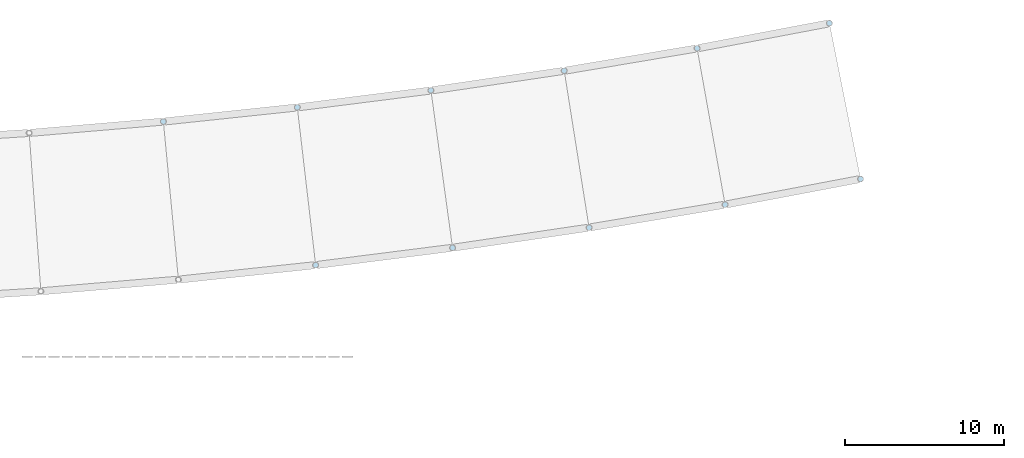
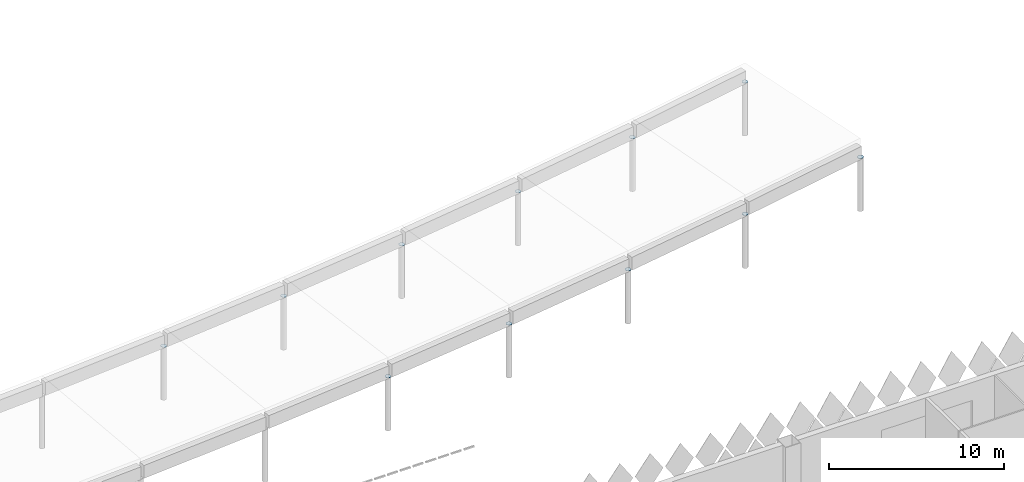
# One storey, part 101 of 185: 11 plates.
"""IFC4 building model written with IfcOpenShell, lengths in metres."""

from ifc_helpers import new_model, si_unit, direction, frame, origin, origin_2d, place, context, subcontext, project, spatial, circle, extrude, material, material_profile, profile_set, type_object, element, save


model = new_model("IFC4")

# Units and contexts
model_context = context("Model", 3, precision=1e-05, world=origin(), true_north=direction((0.0, 1.0)))
body_context = subcontext(model_context, "Body", "Model", "MODEL_VIEW")
ifc_project = project(units=[si_unit("LENGTHUNIT", "METRE"), si_unit("AREAUNIT", "SQUARE_METRE"), si_unit("VOLUMEUNIT", "CUBIC_METRE"), si_unit("PLANEANGLEUNIT", "RADIAN"), si_unit("MASSUNIT", "GRAM", prefix="KILO")], contexts=[model_context])

# Site, building, storey
site_placement = place(None, origin())
site = spatial("IfcSite", under=ifc_project, at=site_placement, CompositionType="ELEMENT")
building_placement = place(site_placement, origin())
building = spatial("IfcBuilding", under=site, at=building_placement, Name="Opaline Strait Convention Centre", CompositionType="ELEMENT")
storey_placement = place(building_placement, frame((0.0, 0.0, 6.0)))
storey = spatial("IfcBuildingStorey", under=building, at=storey_placement, Name="L01", CompositionType="ELEMENT", Elevation=6.0)

# Plates
ifc_material = material(Name="Steel Q355B", Category="steel")
ifc_material_profile = material_profile(ifc_material, circle(Radius=0.175537109375, at=origin_2d()), Name="D351")
ifc_profile_set = profile_set([ifc_material_profile], Name="Steel Q355B")
plate_type = type_object("IfcPlateType", Name="Column cap plate CHS 351 x 15 Q355B", PredefinedType="SHEET", material=ifc_profile_set)
for number, where, z_axis, x_axis, name in (
    (1, (227.67724609375, 172.272216796875, 3.68505859375), (0.0, 0.0, 1.0), (1.0, 0.0, 0.0), "Arcade column cap plate at SC-I16"),
    (2, (236.294189453125, 173.364990234375, 3.68505859375), (0.0, 0.0, 1.0), (1.0, 0.0, 0.0), "Arcade column cap plate at SC-I17"),
    (3, (244.88623046875, 174.634765625, 3.68505859375), (0.0, 0.0, 1.0), (1.0, 0.0, 0.0), "Arcade column cap plate at SC-I18"),
    (4, (253.449462890625, 176.07958984375, 3.68505859375), (0.0, 0.0, 1.0), (1.0, 0.0, 0.0), "Arcade column cap plate at SC-I19"),
    (5, (261.980712890625, 177.697021484375, 3.68505859375), (0.0, 0.0, 1.0), (1.0, 0.0, 0.0), "Arcade column cap plate at SC-I20"),
    (6, (218.090576171875, 181.313720703125, 3.68505859375), (0.0, 0.0, 1.0), (1.0, 0.0, 0.0), "Arcade column cap plate at SC-O15"),
    (7, (226.52197265625, 182.205078125, 3.68505859375), (0.0, 0.0, 1.0), (1.0, 0.0, 0.0), "Arcade column cap plate at SC-O16"),
    (8, (234.933837890625, 183.27197265625, 3.68505859375), (0.0, 0.0, 1.0), (1.0, 0.0, 0.0), "Arcade column cap plate at SC-O17"),
    (9, (243.32275390625, 184.51171875, 3.68505859375), (0.0, 0.0, 1.0), (1.0, 0.0, 0.0), "Arcade column cap plate at SC-O18"),
    (10, (251.685546875, 185.9228515625, 3.68505859375), (0.0, 0.0, 1.0), (1.0, 0.0, 0.0), "Arcade column cap plate at SC-O19"),
    (11, (260.019287109375, 187.5029296875, 3.68505859375), (0.0, 0.0, 1.0), (1.0, 0.0, 0.0), "Arcade column cap plate at SC-O20"),
):
    element("IfcPlate", number, at=place(storey_placement, frame(where, z_axis=z_axis, x_axis=x_axis)), inside=storey, type_object=plate_type, Name=name, PredefinedType="SHEET", context=body_context, shape_type="SweptSolid", body=[
        extrude(circle(Radius=0.175537109375, at=origin_2d()), origin(), (0.0, 0.0, 1.0), 0.014892578125),
    ])

save(model, "model.ifc")
